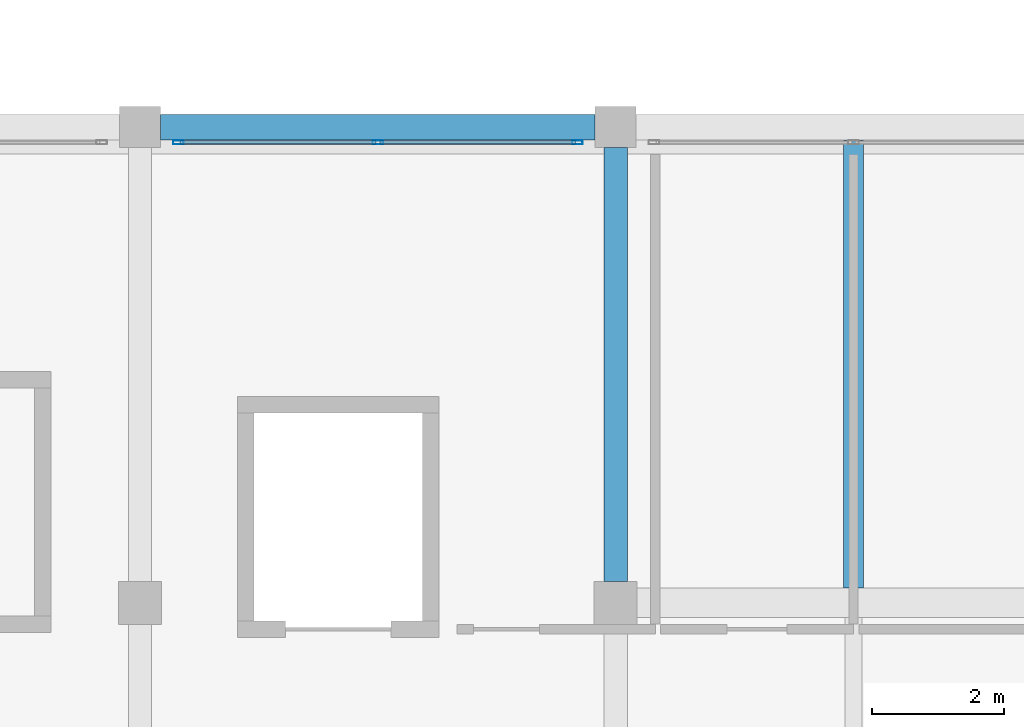
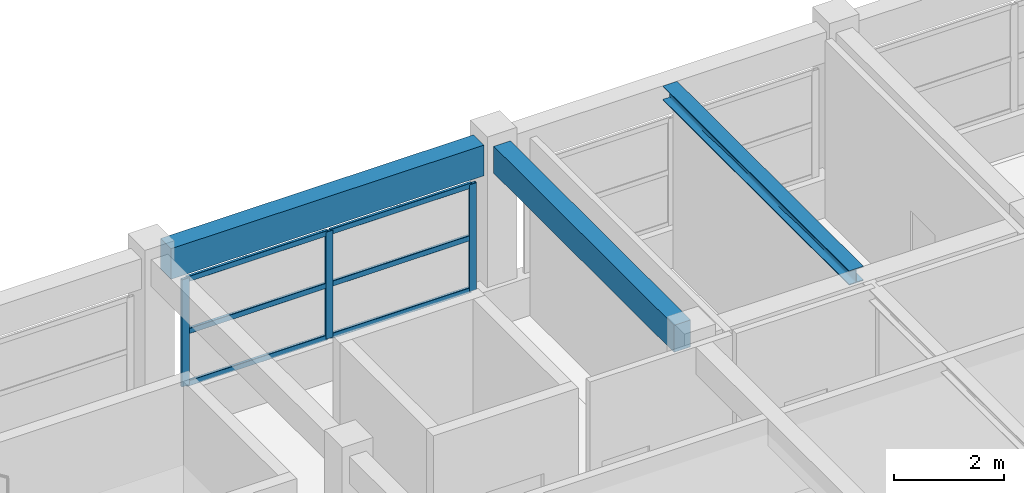
# One storey, part 14 of 67: 9 members, 3 beams, 1 element without a shape of its own.
"""IFC4 building model written with IfcOpenShell, lengths in metres."""

from ifc_helpers import new_model, si_unit, direction, frame, origin, origin_2d, place, context, subcontext, project, spatial, rectangle, hollow_rectangle, i_section, extrude, material, material_profile, profile_set, type_object, element, aggregate, save


model = new_model("IFC4")

# Units and contexts
model_context = context("Model", 3, precision=1e-05, world=origin(), true_north=direction((0.0, 1.0)))
body_context = subcontext(model_context, "Body", "Model", "MODEL_VIEW")
ifc_project = project(units=[si_unit("LENGTHUNIT", "METRE"), si_unit("AREAUNIT", "SQUARE_METRE"), si_unit("VOLUMEUNIT", "CUBIC_METRE"), si_unit("PLANEANGLEUNIT", "RADIAN"), si_unit("MASSUNIT", "GRAM", prefix="KILO")], contexts=[model_context])

# Site, building, storey
site_placement = place(None, origin())
site = spatial("IfcSite", under=ifc_project, at=site_placement, CompositionType="ELEMENT")
building_placement = place(site_placement, origin())
building = spatial("IfcBuilding", under=site, at=building_placement, Name="Bramveld Media Centre", CompositionType="ELEMENT")
storey_placement = place(building_placement, frame((0.0, 0.0, 5.39990234375)))
storey = spatial("IfcBuildingStorey", under=building, at=storey_placement, Name="L01", CompositionType="ELEMENT", Elevation=5.39990234375)

# Beam
ifc_material_1 = material(Name="Concrete C40/50", Category="concrete")
ifc_material_profile_1 = material_profile(ifc_material_1, rectangle(XDim=0.35009765625, YDim=0.60009765625, at=origin_2d()), Name="RC 350x600")
ifc_profile_set_1 = profile_set([ifc_material_profile_1], Name="Concrete C40/50")
beam_type_1 = type_object("IfcBeamType", Name="BM-INT-RC-350x600", PredefinedType="BEAM", material=ifc_profile_set_1)
beam_1_placement = place(storey_placement, frame((87.199951171875, 14.72509765625, 3.650146484375), z_axis=(0.0, 1.0, 0.0), x_axis=(-1.0, 0.0, 0.0)))
element("IfcBeam", 1, at=beam_1_placement, inside=storey, type_object=beam_type_1, Name="V5 L01 girder Y-753", PredefinedType="BEAM", context=body_context, shape_type="SweptSolid", body=[
    extrude(rectangle(XDim=0.35009765625, YDim=0.60009765625, at=origin_2d()), origin(), (0.0, 0.0, 1.0), 6.56494140625),
])

# Curtain wall, members
ifc_material_2 = material(Name="Thermally broken anodized bronze aluminium unitized curtain wall with solar-control triple glazing", Category="aluminium")
curtain_wall_type = type_object("IfcCurtainWallType", Name="CW-FACV5-6100x2380", PredefinedType="NOTDEFINED", material=ifc_material_2)
curtain_wall_placement = place(storey_placement, origin())
curtain_wall = element("IfcCurtainWall", 2, at=curtain_wall_placement, inside=storey, type_object=curtain_wall_type, Name="V5 L01 N curtain wall bay 4", PredefinedType="NOTDEFINED")
ifc_material_3 = material(Name="Thermally broken anodized bronze aluminium EN AW-6063 T6 curtain-wall framing", Category="aluminium")
ifc_material_profile_2 = material_profile(ifc_material_3, hollow_rectangle(XDim=0.06005859375, YDim=0.159912109375, WallThickness=0.00390625, InnerFilletRadius=0.00390625, OuterFilletRadius=0.008056640625, at=origin_2d()), Name="AL-MULL 60x160")
ifc_profile_set_2 = profile_set([ifc_material_profile_2], Name="Thermally broken anodized bronze aluminium EN AW-6063 T6 curtain-wall framing")
member_type_1 = type_object("IfcMemberType", Name="CW-MULL-EXT", PredefinedType="MULLION", material=ifc_profile_set_2)
member_1_placement = place(storey_placement, frame((80.580078125, 21.3701171875, 0.85009765625), z_axis=(0.0, 0.0, 1.0), x_axis=(0.0, 1.0, 0.0)))
member_1 = element("IfcMember", 3, at=member_1_placement, type_object=member_type_1, Name="CW-FA-6123 mullion 1", PredefinedType="MULLION", context=body_context, shape_type="SweptSolid", body=[
    extrude(hollow_rectangle(XDim=0.06005859375, YDim=0.159912109375, WallThickness=0.00390625, InnerFilletRadius=0.00390625, OuterFilletRadius=0.008056640625, at=origin_2d()), origin(), (0.0, 0.0, 1.0), 2.3798828125),
])
member_2_placement = place(storey_placement, frame((83.60009765625, 21.3701171875, 0.85009765625), z_axis=(0.0, 0.0, 1.0), x_axis=(0.0, 1.0, 0.0)))
member_2 = element("IfcMember", 4, at=member_2_placement, type_object=member_type_1, Name="CW-FA-6123 mullion 2", PredefinedType="MULLION", context=body_context, shape_type="SweptSolid", body=[
    extrude(hollow_rectangle(XDim=0.06005859375, YDim=0.159912109375, WallThickness=0.00390625, InnerFilletRadius=0.00390625, OuterFilletRadius=0.008056640625, at=origin_2d()), origin(), (0.0, 0.0, 1.0), 2.3798828125),
])
member_3_placement = place(storey_placement, frame((86.6201171875, 21.3701171875, 0.85009765625), z_axis=(0.0, 0.0, 1.0), x_axis=(0.0, 1.0, 0.0)))
member_3 = element("IfcMember", 5, at=member_3_placement, type_object=member_type_1, Name="CW-FA-6123 mullion 3", PredefinedType="MULLION", context=body_context, shape_type="SweptSolid", body=[
    extrude(hollow_rectangle(XDim=0.06005859375, YDim=0.159912109375, WallThickness=0.00390625, InnerFilletRadius=0.00390625, OuterFilletRadius=0.008056640625, at=origin_2d()), origin(), (0.0, 0.0, 1.0), 2.3798828125),
])
ifc_material_4 = material(Name="Thermally broken anodized bronze aluminium EN AW-6063 T6 curtain-wall framing", Category="aluminium")
ifc_material_profile_3 = material_profile(ifc_material_4, hollow_rectangle(XDim=0.06005859375, YDim=0.1201171875, WallThickness=0.00341796875, InnerFilletRadius=0.00341796875, OuterFilletRadius=0.007080078125, at=origin_2d()), Name="AL-TRAN 60x120")
ifc_profile_set_3 = profile_set([ifc_material_profile_3], Name="Thermally broken anodized bronze aluminium EN AW-6063 T6 curtain-wall framing")
member_type_2 = type_object("IfcMemberType", Name="CW-TRAN-EXT", PredefinedType="USERDEFINED", material=ifc_profile_set_3)
member_4_placement = place(storey_placement, frame((80.610107421875, 21.3701171875, 0.880126953125), z_axis=(1.0, 0.0, 0.0), x_axis=(0.0, 1.0, 0.0)))
member_4 = element("IfcMember", 6, at=member_4_placement, type_object=member_type_2, Name="CW-FA-6123 transom 1.1", ObjectType="TRANSOM", PredefinedType="USERDEFINED", context=body_context, shape_type="SweptSolid", body=[
    extrude(hollow_rectangle(XDim=0.06005859375, YDim=0.1201171875, WallThickness=0.00341796875, InnerFilletRadius=0.00341796875, OuterFilletRadius=0.007080078125, at=origin_2d()), origin(), (0.0, 0.0, 1.0), 2.9599609375),
])
member_5_placement = place(storey_placement, frame((80.610107421875, 21.3701171875, 2.0400390625), z_axis=(1.0, 0.0, 0.0), x_axis=(0.0, 1.0, 0.0)))
member_5 = element("IfcMember", 7, at=member_5_placement, type_object=member_type_2, Name="CW-FA-6123 transom 1.2", ObjectType="TRANSOM", PredefinedType="USERDEFINED", context=body_context, shape_type="SweptSolid", body=[
    extrude(hollow_rectangle(XDim=0.06005859375, YDim=0.1201171875, WallThickness=0.00341796875, InnerFilletRadius=0.00341796875, OuterFilletRadius=0.007080078125, at=origin_2d()), origin(), (0.0, 0.0, 1.0), 2.9599609375),
])
member_6_placement = place(storey_placement, frame((80.610107421875, 21.3701171875, 3.2001953125), z_axis=(1.0, 0.0, 0.0), x_axis=(0.0, 1.0, 0.0)))
member_6 = element("IfcMember", 8, at=member_6_placement, type_object=member_type_2, Name="CW-FA-6123 transom 1.3", ObjectType="TRANSOM", PredefinedType="USERDEFINED", context=body_context, shape_type="SweptSolid", body=[
    extrude(hollow_rectangle(XDim=0.06005859375, YDim=0.1201171875, WallThickness=0.00341796875, InnerFilletRadius=0.00341796875, OuterFilletRadius=0.007080078125, at=origin_2d()), origin(), (0.0, 0.0, 1.0), 2.9599609375),
])
member_7_placement = place(storey_placement, frame((83.6298828125, 21.3701171875, 0.880126953125), z_axis=(1.0, 0.0, 0.0), x_axis=(0.0, 1.0, 0.0)))
member_7 = element("IfcMember", 9, at=member_7_placement, type_object=member_type_2, Name="CW-FA-6123 transom 2.1", ObjectType="TRANSOM", PredefinedType="USERDEFINED", context=body_context, shape_type="SweptSolid", body=[
    extrude(hollow_rectangle(XDim=0.06005859375, YDim=0.1201171875, WallThickness=0.00341796875, InnerFilletRadius=0.00341796875, OuterFilletRadius=0.007080078125, at=origin_2d()), origin(), (0.0, 0.0, 1.0), 2.960205078125),
])
member_8_placement = place(storey_placement, frame((83.6298828125, 21.3701171875, 2.0400390625), z_axis=(1.0, 0.0, 0.0), x_axis=(0.0, 1.0, 0.0)))
member_8 = element("IfcMember", 10, at=member_8_placement, type_object=member_type_2, Name="CW-FA-6123 transom 2.2", ObjectType="TRANSOM", PredefinedType="USERDEFINED", context=body_context, shape_type="SweptSolid", body=[
    extrude(hollow_rectangle(XDim=0.06005859375, YDim=0.1201171875, WallThickness=0.00341796875, InnerFilletRadius=0.00341796875, OuterFilletRadius=0.007080078125, at=origin_2d()), origin(), (0.0, 0.0, 1.0), 2.960205078125),
])
member_9_placement = place(storey_placement, frame((83.6298828125, 21.3701171875, 3.2001953125), z_axis=(1.0, 0.0, 0.0), x_axis=(0.0, 1.0, 0.0)))
member_9 = element("IfcMember", 11, at=member_9_placement, type_object=member_type_2, Name="CW-FA-6123 transom 2.3", ObjectType="TRANSOM", PredefinedType="USERDEFINED", context=body_context, shape_type="SweptSolid", body=[
    extrude(hollow_rectangle(XDim=0.06005859375, YDim=0.1201171875, WallThickness=0.00341796875, InnerFilletRadius=0.00341796875, OuterFilletRadius=0.007080078125, at=origin_2d()), origin(), (0.0, 0.0, 1.0), 2.960205078125),
])
aggregate(curtain_wall, [member_1, member_2, member_3, member_4, member_5, member_6, member_7, member_8, member_9])

# Beams
ifc_material_5 = material(Name="Steel S355J2", Category="steel")
ifc_material_profile_4 = material_profile(ifc_material_5, i_section(OverallWidth=0.300048828125, OverallDepth=0.320068359375, WebThickness=0.011474609375, FlangeThickness=0.0205078125, FilletRadius=0.027099609375, at=origin_2d()), Name="HEB 320")
ifc_profile_set_4 = profile_set([ifc_material_profile_4], Name="Steel S355J2")
beam_type_2 = type_object("IfcBeamType", Name="SBM-INT-HEB-320", PredefinedType="BEAM", material=ifc_profile_set_4)
beam_2_placement = place(storey_placement, frame((90.800048828125, 14.625, 3.7900390625), z_axis=(0.0, 1.0, 0.0), x_axis=(-1.0, 0.0, 0.0)))
element("IfcBeam", 12, at=beam_2_placement, inside=storey, type_object=beam_type_2, Name="V5 L01 secondary floor joist 771", PredefinedType="BEAM", context=body_context, shape_type="SweptSolid", body=[
    extrude(i_section(OverallWidth=0.300048828125, OverallDepth=0.320068359375, WebThickness=0.011474609375, FlangeThickness=0.0205078125, FilletRadius=0.027099609375, at=origin_2d()), origin(), (0.0, 0.0, 1.0), 6.784912109375),
])
ifc_material_6 = material(Name="Concrete C40/50", Category="concrete")
ifc_material_profile_5 = material_profile(ifc_material_6, rectangle(XDim=0.3798828125, YDim=0.679931640625, at=origin_2d()), Name="RC 380x680")
ifc_profile_set_5 = profile_set([ifc_material_profile_5], Name="Concrete C40/50")
beam_type_3 = type_object("IfcBeamType", Name="SPANDREL-EXT-RC-380x680", PredefinedType="SPANDREL", material=ifc_profile_set_5)
beam_3_placement = place(storey_placement, frame((80.31005859375, 21.60009765625, 3.610107421875), z_axis=(1.0, 0.0, 0.0), x_axis=(0.0, 1.0, 0.0)))
element("IfcBeam", 13, at=beam_3_placement, inside=storey, type_object=beam_type_3, Name="V5 L01 girder X-737", PredefinedType="SPANDREL", context=body_context, shape_type="SweptSolid", body=[
    extrude(rectangle(XDim=0.3798828125, YDim=0.679931640625, at=origin_2d()), origin(), (0.0, 0.0, 1.0), 6.579833984375),
])

save(model, "model.ifc")
